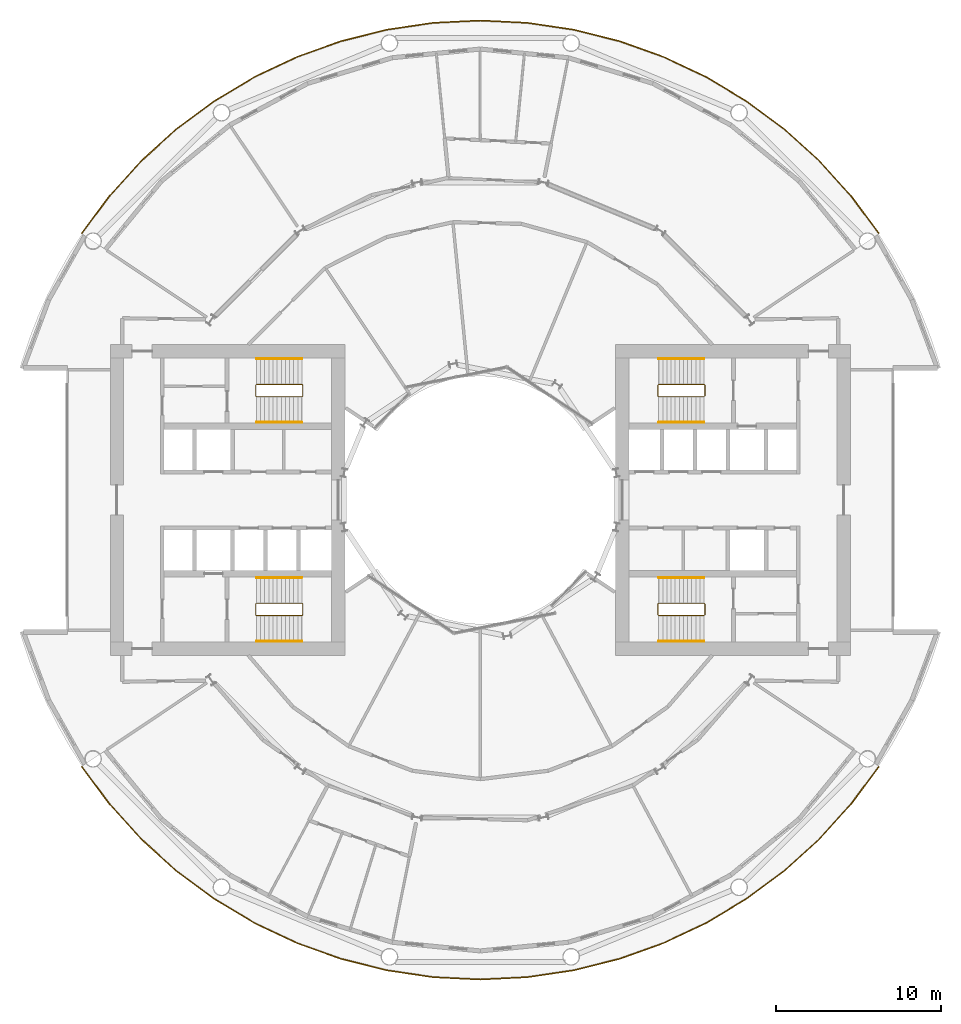
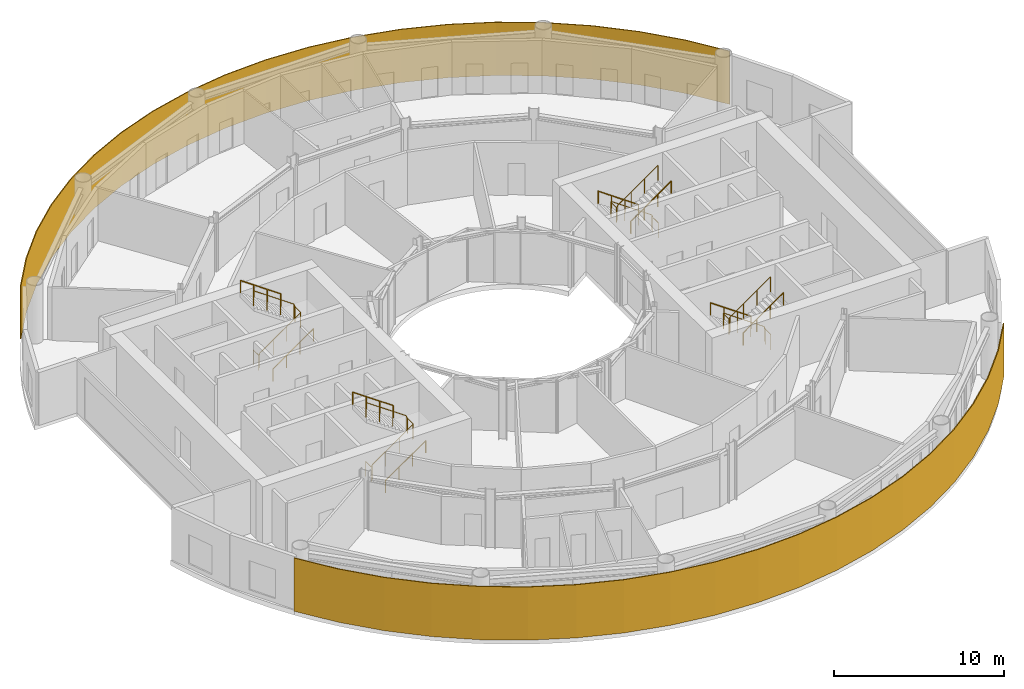
# One storey, part 19 of 19: 14 railings.
"""IFC4 building model written with IfcOpenShell, lengths in metres."""

from ifc_helpers import new_model, si_unit, direction, frame, origin, origin_2d, place, context, subcontext, project, spatial, polyline, circle, outline, extrude, material, layer, layer_set, type_object, element, save


model = new_model("IFC4")

# Units and contexts
model_context = context("Model", 3, precision=1e-05, world=origin(), true_north=direction((0.0, 1.0)))
body_context = subcontext(model_context, "Body", "Model", "MODEL_VIEW")
ifc_project = project(units=[si_unit("LENGTHUNIT", "METRE"), si_unit("AREAUNIT", "SQUARE_METRE"), si_unit("VOLUMEUNIT", "CUBIC_METRE"), si_unit("PLANEANGLEUNIT", "RADIAN"), si_unit("MASSUNIT", "GRAM", prefix="KILO")], contexts=[model_context])

# Site, building, storey
site_placement = place(None, origin())
site = spatial("IfcSite", under=ifc_project, at=site_placement, CompositionType="ELEMENT")
building_placement = place(site_placement, origin())
building = spatial("IfcBuilding", under=site, at=building_placement, Name="Maasbend Ring Residences", CompositionType="ELEMENT")
storey_placement = place(building_placement, frame((0.0, 0.0, 53.300048828125)))
storey = spatial("IfcBuildingStorey", under=building, at=storey_placement, Name="L15", CompositionType="ELEMENT", Elevation=53.300048828125)

# Railings
ifc_material_1 = material(Name="Pale anodised perforated aluminium", Category="aluminium")
ifc_layer = layer(ifc_material_1, 0.06005859375)
ifc_layer_set = layer_set([ifc_layer], Name="SCREEN-P")
railing_type_1 = type_object("IfcRailingType", Name="SCREEN-P", PredefinedType="GUARDRAIL", material=ifc_layer_set)
railing_1_placement = place(storey_placement, frame((0.0, 0.0, -0.030029296875)))
element("IfcRailing", 1, at=railing_1_placement, inside=storey, type_object=railing_type_1, Name="Perforated screen guard 1", PredefinedType="GUARDRAIL", context=body_context, shape_type="SweptSolid", body=[
    extrude(outline(polyline([(24.113037109375, 16.112060546875), (22.4169921875, 18.39697265625), (20.506103515625, 20.506103515625), (18.39697265625, 22.4169921875), (16.112060546875, 24.113037109375), (13.6708984375, 25.575927734375), (11.097900390625, 26.79296875), (8.41796875, 27.7509765625), (5.657958984375, 28.443115234375), (2.842041015625, 28.860107421875), (0.0, 29.0), (-2.842041015625, 28.860107421875), (-5.657958984375, 28.443115234375), (-8.41796875, 27.7509765625), (-11.097900390625, 26.79296875), (-13.6708984375, 25.575927734375), (-16.112060546875, 24.113037109375), (-18.39697265625, 22.4169921875), (-20.506103515625, 20.506103515625), (-22.4169921875, 18.39697265625), (-24.113037109375, 16.112060546875), (-24.1630859375, 16.14501953125), (-22.464111328125, 18.43505859375), (-20.549072265625, 20.549072265625), (-18.43505859375, 22.464111328125), (-16.14501953125, 24.1630859375), (-13.698974609375, 25.62890625), (-11.12109375, 26.847900390625), (-8.43603515625, 27.80908203125), (-5.6689453125, 28.501953125), (-2.847900390625, 28.919921875), (0.0, 29.06005859375), (2.847900390625, 28.919921875), (5.6689453125, 28.501953125), (8.43603515625, 27.80908203125), (11.12109375, 26.847900390625), (13.698974609375, 25.62890625), (16.14501953125, 24.1630859375), (18.43505859375, 22.464111328125), (20.549072265625, 20.549072265625), (22.464111328125, 18.43505859375), (24.1630859375, 16.14501953125), (24.113037109375, 16.112060546875)])), origin(), (0.0, 0.0, 1.0), 3.830078125),
])
railing_2_placement = place(storey_placement, frame((0.0, 0.0, -0.030029296875)))
element("IfcRailing", 2, at=railing_2_placement, inside=storey, type_object=railing_type_1, Name="Perforated screen guard 1", PredefinedType="GUARDRAIL", context=body_context, shape_type="SweptSolid", body=[
    extrude(outline(polyline([(-24.113037109375, -16.112060546875), (-22.4169921875, -18.39697265625), (-20.506103515625, -20.506103515625), (-18.39697265625, -22.4169921875), (-16.112060546875, -24.113037109375), (-13.6708984375, -25.575927734375), (-11.097900390625, -26.79296875), (-8.41796875, -27.7509765625), (-5.657958984375, -28.443115234375), (-2.842041015625, -28.860107421875), (0.0, -29.0), (2.842041015625, -28.860107421875), (5.657958984375, -28.443115234375), (8.41796875, -27.7509765625), (11.097900390625, -26.79296875), (13.6708984375, -25.575927734375), (16.112060546875, -24.113037109375), (18.39697265625, -22.4169921875), (20.506103515625, -20.506103515625), (22.4169921875, -18.39697265625), (24.113037109375, -16.112060546875), (24.1630859375, -16.14501953125), (22.464111328125, -18.43505859375), (20.549072265625, -20.549072265625), (18.43505859375, -22.464111328125), (16.14501953125, -24.1630859375), (13.698974609375, -25.62890625), (11.12109375, -26.847900390625), (8.43603515625, -27.80908203125), (5.6689453125, -28.501953125), (2.847900390625, -28.919921875), (0.0, -29.06005859375), (-2.847900390625, -28.919921875), (-5.6689453125, -28.501953125), (-8.43603515625, -27.80908203125), (-11.12109375, -26.847900390625), (-13.698974609375, -25.62890625), (-16.14501953125, -24.1630859375), (-18.43505859375, -22.464111328125), (-20.549072265625, -20.549072265625), (-22.464111328125, -18.43505859375), (-24.1630859375, -16.14501953125), (-24.113037109375, -16.112060546875)])), origin(), (0.0, 0.0, 1.0), 3.830078125),
])
ifc_material_2 = material(Name="Stainless steel 316", Category="steel")
railing_type_2 = type_object("IfcRailingType", Name="STAIR GUARD 1100", PredefinedType="GUARDRAIL", material=ifc_material_2)
railing_3_placement = place(storey_placement, frame((13.60009765625, 6.300048828125, 0.0)))
element("IfcRailing", 3, at=railing_3_placement, inside=storey, type_object=railing_type_2, Name="L15 ST-E1 stair guard 1", PredefinedType="GUARDRAIL", context=body_context, shape_type="SweptSolid", body=[
    extrude(circle(Radius=0.02392578125, at=origin_2d()), frame((0.0, 0.0, 1.076171875), z_axis=(0.0, 1.0, 0.0), x_axis=(-1.0, 0.0, 0.0)), (0.0, 0.0, 1.0), 0.64990234375),
    extrude(circle(Radius=0.02392578125, at=origin_2d()), frame((0.0, 0.64990234375, 1.076171875), z_axis=(-0.265065253269, 0.265065253269, 0.927081885822), x_axis=(-0.707106781187, -0.707106781187, 0.0)), (0.0, 0.0, 1.0), 0.188720703125),
    extrude(circle(Radius=0.02392578125, at=origin_2d()), frame((-0.050048828125, 0.699951171875, 1.2509765625), z_axis=(-0.819259255306, 0.0, 0.573423292687), x_axis=(0.0, -1.0, 0.0)), (0.0, 0.0, 1.0), 3.356689453125),
    extrude(circle(Radius=0.02392578125, at=origin_2d()), frame((-2.800048828125, 0.699951171875, 3.17578125), z_axis=(-0.707106781187, -0.707106781187, 0.0), x_axis=(0.707106781187, -0.707106781187, 0.0)), (0.0, 0.0, 1.0), 0.07080078125),
    extrude(circle(Radius=0.02392578125, at=origin_2d()), frame((-2.85009765625, 0.64990234375, 3.17578125), z_axis=(0.0, -1.0, 0.0), x_axis=(1.0, 0.0, 0.0)), (0.0, 0.0, 1.0), 0.64990234375),
    extrude(circle(Radius=0.02392578125, at=origin_2d()), frame((-2.85009765625, 0.0, 3.17578125), z_axis=(0.265065253269, -0.265065253269, 0.927081885822), x_axis=(0.707106781187, 0.707106781187, 0.0)), (0.0, 0.0, 1.0), 0.188720703125),
    extrude(circle(Radius=0.02392578125, at=origin_2d()), frame((-2.800048828125, -0.050048828125, 3.35107421875), z_axis=(0.819225086817, 0.0, 0.573472106672), x_axis=(0.0, 1.0, 0.0)), (0.0, 0.0, 1.0), 3.35693359375),
    extrude(circle(Radius=0.02099609375, at=origin_2d()), origin(), (0.0, 0.0, 1.0), 1.052001953125),
    extrude(circle(Radius=0.02099609375, at=origin_2d()), frame((0.0, 0.64990234375, 0.0)), (0.0, 0.0, 1.0), 1.052001953125),
    extrude(circle(Radius=0.02099609375, at=origin_2d()), frame((-0.050048828125, 0.699951171875, 0.175048828125)), (0.0, 0.0, 1.0), 1.052001953125),
    extrude(circle(Radius=0.02099609375, at=origin_2d()), frame((-0.966796875, 0.699951171875, 0.816650390625)), (0.0, 0.0, 1.0), 1.052001953125),
    extrude(circle(Radius=0.02099609375, at=origin_2d()), frame((-1.88330078125, 0.699951171875, 1.458251953125)), (0.0, 0.0, 1.0), 1.052001953125),
    extrude(circle(Radius=0.02099609375, at=origin_2d()), frame((-2.800048828125, 0.699951171875, 2.099853515625)), (0.0, 0.0, 1.0), 1.052001953125),
    extrude(circle(Radius=0.02099609375, at=origin_2d()), frame((-2.85009765625, 0.64990234375, 2.099853515625)), (0.0, 0.0, 1.0), 1.052001953125),
    extrude(circle(Radius=0.02099609375, at=origin_2d()), frame((-2.85009765625, 0.0, 2.099853515625)), (0.0, 0.0, 1.0), 1.052001953125),
    extrude(circle(Radius=0.02099609375, at=origin_2d()), frame((-2.800048828125, -0.050048828125, 2.27490234375)), (0.0, 0.0, 1.0), 1.052001953125),
    extrude(circle(Radius=0.02099609375, at=origin_2d()), frame((-1.88330078125, -0.050048828125, 2.91650390625)), (0.0, 0.0, 1.0), 1.052001953125),
    extrude(circle(Radius=0.02099609375, at=origin_2d()), frame((-0.966796875, -0.050048828125, 3.558349609375)), (0.0, 0.0, 1.0), 1.052001953125),
    extrude(circle(Radius=0.02099609375, at=origin_2d()), frame((-0.050048828125, -0.050048828125, 4.199951171875)), (0.0, 0.0, 1.0), 1.052001953125),
])
railing_4_placement = place(storey_placement, frame((13.60009765625, -6.949951171875, 0.0)))
element("IfcRailing", 4, at=railing_4_placement, inside=storey, type_object=railing_type_2, Name="L15 ST-E2 stair guard 1", PredefinedType="GUARDRAIL", context=body_context, shape_type="SweptSolid", body=[
    extrude(circle(Radius=0.02392578125, at=origin_2d()), frame((0.0, 0.0, 1.076171875), z_axis=(0.0, 1.0, 0.0), x_axis=(-1.0, 0.0, 0.0)), (0.0, 0.0, 1.0), 0.64990234375),
    extrude(circle(Radius=0.02392578125, at=origin_2d()), frame((0.0, 0.64990234375, 1.076171875), z_axis=(-0.265065253269, 0.265065253269, 0.927081885822), x_axis=(-0.707106781187, -0.707106781187, 0.0)), (0.0, 0.0, 1.0), 0.188720703125),
    extrude(circle(Radius=0.02392578125, at=origin_2d()), frame((-0.050048828125, 0.699951171875, 1.2509765625), z_axis=(-0.819259255306, 0.0, 0.573423292687), x_axis=(0.0, -1.0, 0.0)), (0.0, 0.0, 1.0), 3.356689453125),
    extrude(circle(Radius=0.02392578125, at=origin_2d()), frame((-2.800048828125, 0.699951171875, 3.17578125), z_axis=(-0.707106781187, -0.707106781187, 0.0), x_axis=(0.707106781187, -0.707106781187, 0.0)), (0.0, 0.0, 1.0), 0.07080078125),
    extrude(circle(Radius=0.02392578125, at=origin_2d()), frame((-2.85009765625, 0.64990234375, 3.17578125), z_axis=(0.0, -1.0, 0.0), x_axis=(1.0, 0.0, 0.0)), (0.0, 0.0, 1.0), 0.64990234375),
    extrude(circle(Radius=0.02392578125, at=origin_2d()), frame((-2.85009765625, 0.0, 3.17578125), z_axis=(0.265065253269, -0.265065253269, 0.927081885822), x_axis=(0.707106781187, 0.707106781187, 0.0)), (0.0, 0.0, 1.0), 0.188720703125),
    extrude(circle(Radius=0.02392578125, at=origin_2d()), frame((-2.800048828125, -0.050048828125, 3.35107421875), z_axis=(0.819225086817, 0.0, 0.573472106672), x_axis=(0.0, 1.0, 0.0)), (0.0, 0.0, 1.0), 3.35693359375),
    extrude(circle(Radius=0.02099609375, at=origin_2d()), origin(), (0.0, 0.0, 1.0), 1.052001953125),
    extrude(circle(Radius=0.02099609375, at=origin_2d()), frame((0.0, 0.64990234375, 0.0)), (0.0, 0.0, 1.0), 1.052001953125),
    extrude(circle(Radius=0.02099609375, at=origin_2d()), frame((-0.050048828125, 0.699951171875, 0.175048828125)), (0.0, 0.0, 1.0), 1.052001953125),
    extrude(circle(Radius=0.02099609375, at=origin_2d()), frame((-0.966796875, 0.699951171875, 0.816650390625)), (0.0, 0.0, 1.0), 1.052001953125),
    extrude(circle(Radius=0.02099609375, at=origin_2d()), frame((-1.88330078125, 0.699951171875, 1.458251953125)), (0.0, 0.0, 1.0), 1.052001953125),
    extrude(circle(Radius=0.02099609375, at=origin_2d()), frame((-2.800048828125, 0.699951171875, 2.099853515625)), (0.0, 0.0, 1.0), 1.052001953125),
    extrude(circle(Radius=0.02099609375, at=origin_2d()), frame((-2.85009765625, 0.64990234375, 2.099853515625)), (0.0, 0.0, 1.0), 1.052001953125),
    extrude(circle(Radius=0.02099609375, at=origin_2d()), frame((-2.85009765625, 0.0, 2.099853515625)), (0.0, 0.0, 1.0), 1.052001953125),
    extrude(circle(Radius=0.02099609375, at=origin_2d()), frame((-2.800048828125, -0.050048828125, 2.27490234375)), (0.0, 0.0, 1.0), 1.052001953125),
    extrude(circle(Radius=0.02099609375, at=origin_2d()), frame((-1.88330078125, -0.050048828125, 2.91650390625)), (0.0, 0.0, 1.0), 1.052001953125),
    extrude(circle(Radius=0.02099609375, at=origin_2d()), frame((-0.966796875, -0.050048828125, 3.558349609375)), (0.0, 0.0, 1.0), 1.052001953125),
    extrude(circle(Radius=0.02099609375, at=origin_2d()), frame((-0.050048828125, -0.050048828125, 4.199951171875)), (0.0, 0.0, 1.0), 1.052001953125),
])
railing_5_placement = place(storey_placement, frame((-13.60009765625, -6.300048828125, 0.0)))
element("IfcRailing", 5, at=railing_5_placement, inside=storey, type_object=railing_type_2, Name="L15 ST-W1 stair guard 1", PredefinedType="GUARDRAIL", context=body_context, shape_type="SweptSolid", body=[
    extrude(circle(Radius=0.02392578125, at=origin_2d()), frame((0.0, 0.0, 1.076171875), z_axis=(0.0, -1.0, 0.0), x_axis=(1.0, 0.0, 0.0)), (0.0, 0.0, 1.0), 0.64990234375),
    extrude(circle(Radius=0.02392578125, at=origin_2d()), frame((0.0, -0.64990234375, 1.076171875), z_axis=(0.265065253269, -0.265065253269, 0.927081885822), x_axis=(0.707106781187, 0.707106781187, 0.0)), (0.0, 0.0, 1.0), 0.188720703125),
    extrude(circle(Radius=0.02392578125, at=origin_2d()), frame((0.050048828125, -0.699951171875, 1.2509765625), z_axis=(0.819259255306, 0.0, 0.573423292687), x_axis=(0.0, 1.0, 0.0)), (0.0, 0.0, 1.0), 3.356689453125),
    extrude(circle(Radius=0.02392578125, at=origin_2d()), frame((2.800048828125, -0.699951171875, 3.17578125), z_axis=(0.707106781187, 0.707106781187, 0.0), x_axis=(-0.707106781187, 0.707106781187, 0.0)), (0.0, 0.0, 1.0), 0.07080078125),
    extrude(circle(Radius=0.02392578125, at=origin_2d()), frame((2.85009765625, -0.64990234375, 3.17578125), z_axis=(0.0, 1.0, 0.0), x_axis=(-1.0, 0.0, 0.0)), (0.0, 0.0, 1.0), 0.64990234375),
    extrude(circle(Radius=0.02392578125, at=origin_2d()), frame((2.85009765625, 0.0, 3.17578125), z_axis=(-0.265065253269, 0.265065253269, 0.927081885822), x_axis=(-0.707106781187, -0.707106781187, 0.0)), (0.0, 0.0, 1.0), 0.188720703125),
    extrude(circle(Radius=0.02392578125, at=origin_2d()), frame((2.800048828125, 0.050048828125, 3.35107421875), z_axis=(-0.819225086817, 0.0, 0.573472106672), x_axis=(0.0, -1.0, 0.0)), (0.0, 0.0, 1.0), 3.35693359375),
    extrude(circle(Radius=0.02099609375, at=origin_2d()), origin(), (0.0, 0.0, 1.0), 1.052001953125),
    extrude(circle(Radius=0.02099609375, at=origin_2d()), frame((0.0, -0.64990234375, 0.0)), (0.0, 0.0, 1.0), 1.052001953125),
    extrude(circle(Radius=0.02099609375, at=origin_2d()), frame((0.050048828125, -0.699951171875, 0.175048828125)), (0.0, 0.0, 1.0), 1.052001953125),
    extrude(circle(Radius=0.02099609375, at=origin_2d()), frame((0.966796875, -0.699951171875, 0.816650390625)), (0.0, 0.0, 1.0), 1.052001953125),
    extrude(circle(Radius=0.02099609375, at=origin_2d()), frame((1.88330078125, -0.699951171875, 1.458251953125)), (0.0, 0.0, 1.0), 1.052001953125),
    extrude(circle(Radius=0.02099609375, at=origin_2d()), frame((2.800048828125, -0.699951171875, 2.099853515625)), (0.0, 0.0, 1.0), 1.052001953125),
    extrude(circle(Radius=0.02099609375, at=origin_2d()), frame((2.85009765625, -0.64990234375, 2.099853515625)), (0.0, 0.0, 1.0), 1.052001953125),
    extrude(circle(Radius=0.02099609375, at=origin_2d()), frame((2.85009765625, 0.0, 2.099853515625)), (0.0, 0.0, 1.0), 1.052001953125),
    extrude(circle(Radius=0.02099609375, at=origin_2d()), frame((2.800048828125, 0.050048828125, 2.27490234375)), (0.0, 0.0, 1.0), 1.052001953125),
    extrude(circle(Radius=0.02099609375, at=origin_2d()), frame((1.88330078125, 0.050048828125, 2.91650390625)), (0.0, 0.0, 1.0), 1.052001953125),
    extrude(circle(Radius=0.02099609375, at=origin_2d()), frame((0.966796875, 0.050048828125, 3.558349609375)), (0.0, 0.0, 1.0), 1.052001953125),
    extrude(circle(Radius=0.02099609375, at=origin_2d()), frame((0.050048828125, 0.050048828125, 4.199951171875)), (0.0, 0.0, 1.0), 1.052001953125),
])
railing_6_placement = place(storey_placement, frame((-13.60009765625, 6.949951171875, 0.0)))
element("IfcRailing", 6, at=railing_6_placement, inside=storey, type_object=railing_type_2, Name="L15 ST-W2 stair guard 1", PredefinedType="GUARDRAIL", context=body_context, shape_type="SweptSolid", body=[
    extrude(circle(Radius=0.02392578125, at=origin_2d()), frame((0.0, 0.0, 1.076171875), z_axis=(0.0, -1.0, 0.0), x_axis=(1.0, 0.0, 0.0)), (0.0, 0.0, 1.0), 0.64990234375),
    extrude(circle(Radius=0.02392578125, at=origin_2d()), frame((0.0, -0.64990234375, 1.076171875), z_axis=(0.265065253269, -0.265065253269, 0.927081885822), x_axis=(0.707106781187, 0.707106781187, 0.0)), (0.0, 0.0, 1.0), 0.188720703125),
    extrude(circle(Radius=0.02392578125, at=origin_2d()), frame((0.050048828125, -0.699951171875, 1.2509765625), z_axis=(0.819259255306, 0.0, 0.573423292687), x_axis=(0.0, 1.0, 0.0)), (0.0, 0.0, 1.0), 3.356689453125),
    extrude(circle(Radius=0.02392578125, at=origin_2d()), frame((2.800048828125, -0.699951171875, 3.17578125), z_axis=(0.707106781187, 0.707106781187, 0.0), x_axis=(-0.707106781187, 0.707106781187, 0.0)), (0.0, 0.0, 1.0), 0.07080078125),
    extrude(circle(Radius=0.02392578125, at=origin_2d()), frame((2.85009765625, -0.64990234375, 3.17578125), z_axis=(0.0, 1.0, 0.0), x_axis=(-1.0, 0.0, 0.0)), (0.0, 0.0, 1.0), 0.64990234375),
    extrude(circle(Radius=0.02392578125, at=origin_2d()), frame((2.85009765625, 0.0, 3.17578125), z_axis=(-0.265065253269, 0.265065253269, 0.927081885822), x_axis=(-0.707106781187, -0.707106781187, 0.0)), (0.0, 0.0, 1.0), 0.188720703125),
    extrude(circle(Radius=0.02392578125, at=origin_2d()), frame((2.800048828125, 0.050048828125, 3.35107421875), z_axis=(-0.819225086817, 0.0, 0.573472106672), x_axis=(0.0, -1.0, 0.0)), (0.0, 0.0, 1.0), 3.35693359375),
    extrude(circle(Radius=0.02099609375, at=origin_2d()), origin(), (0.0, 0.0, 1.0), 1.052001953125),
    extrude(circle(Radius=0.02099609375, at=origin_2d()), frame((0.0, -0.64990234375, 0.0)), (0.0, 0.0, 1.0), 1.052001953125),
    extrude(circle(Radius=0.02099609375, at=origin_2d()), frame((0.050048828125, -0.699951171875, 0.175048828125)), (0.0, 0.0, 1.0), 1.052001953125),
    extrude(circle(Radius=0.02099609375, at=origin_2d()), frame((0.966796875, -0.699951171875, 0.816650390625)), (0.0, 0.0, 1.0), 1.052001953125),
    extrude(circle(Radius=0.02099609375, at=origin_2d()), frame((1.88330078125, -0.699951171875, 1.458251953125)), (0.0, 0.0, 1.0), 1.052001953125),
    extrude(circle(Radius=0.02099609375, at=origin_2d()), frame((2.800048828125, -0.699951171875, 2.099853515625)), (0.0, 0.0, 1.0), 1.052001953125),
    extrude(circle(Radius=0.02099609375, at=origin_2d()), frame((2.85009765625, -0.64990234375, 2.099853515625)), (0.0, 0.0, 1.0), 1.052001953125),
    extrude(circle(Radius=0.02099609375, at=origin_2d()), frame((2.85009765625, 0.0, 2.099853515625)), (0.0, 0.0, 1.0), 1.052001953125),
    extrude(circle(Radius=0.02099609375, at=origin_2d()), frame((2.800048828125, 0.050048828125, 2.27490234375)), (0.0, 0.0, 1.0), 1.052001953125),
    extrude(circle(Radius=0.02099609375, at=origin_2d()), frame((1.88330078125, 0.050048828125, 2.91650390625)), (0.0, 0.0, 1.0), 1.052001953125),
    extrude(circle(Radius=0.02099609375, at=origin_2d()), frame((0.966796875, 0.050048828125, 3.558349609375)), (0.0, 0.0, 1.0), 1.052001953125),
    extrude(circle(Radius=0.02099609375, at=origin_2d()), frame((0.050048828125, 0.050048828125, 4.199951171875)), (0.0, 0.0, 1.0), 1.052001953125),
])
ifc_material_3 = material(Name="Stainless steel 316", Category="steel")
railing_type_3 = type_object("IfcRailingType", Name="STAIR HANDRAIL 900", PredefinedType="HANDRAIL", material=ifc_material_3)
railing_7_placement = place(storey_placement, frame((13.550048828125, 8.550048828125, 0.175048828125)))
element("IfcRailing", 7, at=railing_7_placement, inside=storey, type_object=railing_type_3, Name="L15 ST-E1 stair handrail 1", PredefinedType="HANDRAIL", context=body_context, shape_type="SweptSolid", body=[
    extrude(circle(Radius=0.02392578125, at=origin_2d()), frame((0.0, 0.0, 0.8759765625), z_axis=(-0.819259255306, 0.0, 0.573423292687), x_axis=(0.0, -1.0, 0.0)), (0.0, 0.0, 1.0), 3.356689453125),
    extrude(circle(Radius=0.02099609375, at=origin_2d()), origin(), (0.0, 0.0, 1.0), 0.851806640625),
    extrude(circle(Radius=0.02099609375, at=origin_2d()), frame((-0.916748046875, 0.0, 0.6416015625)), (0.0, 0.0, 1.0), 0.851806640625),
    extrude(circle(Radius=0.02099609375, at=origin_2d()), frame((-1.833251953125, 0.0, 1.283203125)), (0.0, 0.0, 1.0), 0.851806640625),
    extrude(circle(Radius=0.02099609375, at=origin_2d()), frame((-2.75, 0.0, 1.9248046875)), (0.0, 0.0, 1.0), 0.851806640625),
])
railing_8_placement = place(storey_placement, frame((10.800048828125, 4.699951171875, 2.27490234375)))
element("IfcRailing", 8, at=railing_8_placement, inside=storey, type_object=railing_type_3, Name="L15 ST-E1 stair handrail 2", PredefinedType="HANDRAIL", context=body_context, shape_type="SweptSolid", body=[
    extrude(circle(Radius=0.02392578125, at=origin_2d()), frame((0.0, 0.0, 0.8759765625), z_axis=(0.819225086817, 0.0, 0.573472106672), x_axis=(0.0, 1.0, 0.0)), (0.0, 0.0, 1.0), 3.35693359375),
    extrude(circle(Radius=0.02099609375, at=origin_2d()), origin(), (0.0, 0.0, 1.0), 0.851806640625),
    extrude(circle(Radius=0.02099609375, at=origin_2d()), frame((0.916748046875, 0.0, 0.6416015625)), (0.0, 0.0, 1.0), 0.851806640625),
    extrude(circle(Radius=0.02099609375, at=origin_2d()), frame((1.833251953125, 0.0, 1.283447265625)), (0.0, 0.0, 1.0), 0.851806640625),
    extrude(circle(Radius=0.02099609375, at=origin_2d()), frame((2.75, 0.0, 1.925048828125)), (0.0, 0.0, 1.0), 0.851806640625),
])
railing_9_placement = place(storey_placement, frame((13.550048828125, -4.699951171875, 0.175048828125)))
element("IfcRailing", 9, at=railing_9_placement, inside=storey, type_object=railing_type_3, Name="L15 ST-E2 stair handrail 1", PredefinedType="HANDRAIL", context=body_context, shape_type="SweptSolid", body=[
    extrude(circle(Radius=0.02392578125, at=origin_2d()), frame((0.0, 0.0, 0.8759765625), z_axis=(-0.819259255306, 0.0, 0.573423292687), x_axis=(0.0, -1.0, 0.0)), (0.0, 0.0, 1.0), 3.356689453125),
    extrude(circle(Radius=0.02099609375, at=origin_2d()), origin(), (0.0, 0.0, 1.0), 0.851806640625),
    extrude(circle(Radius=0.02099609375, at=origin_2d()), frame((-0.916748046875, 0.0, 0.6416015625)), (0.0, 0.0, 1.0), 0.851806640625),
    extrude(circle(Radius=0.02099609375, at=origin_2d()), frame((-1.833251953125, 0.0, 1.283203125)), (0.0, 0.0, 1.0), 0.851806640625),
    extrude(circle(Radius=0.02099609375, at=origin_2d()), frame((-2.75, 0.0, 1.9248046875)), (0.0, 0.0, 1.0), 0.851806640625),
])
railing_10_placement = place(storey_placement, frame((10.800048828125, -8.550048828125, 2.27490234375)))
element("IfcRailing", 10, at=railing_10_placement, inside=storey, type_object=railing_type_3, Name="L15 ST-E2 stair handrail 2", PredefinedType="HANDRAIL", context=body_context, shape_type="SweptSolid", body=[
    extrude(circle(Radius=0.02392578125, at=origin_2d()), frame((0.0, 0.0, 0.8759765625), z_axis=(0.819225086817, 0.0, 0.573472106672), x_axis=(0.0, 1.0, 0.0)), (0.0, 0.0, 1.0), 3.35693359375),
    extrude(circle(Radius=0.02099609375, at=origin_2d()), origin(), (0.0, 0.0, 1.0), 0.851806640625),
    extrude(circle(Radius=0.02099609375, at=origin_2d()), frame((0.916748046875, 0.0, 0.6416015625)), (0.0, 0.0, 1.0), 0.851806640625),
    extrude(circle(Radius=0.02099609375, at=origin_2d()), frame((1.833251953125, 0.0, 1.283447265625)), (0.0, 0.0, 1.0), 0.851806640625),
    extrude(circle(Radius=0.02099609375, at=origin_2d()), frame((2.75, 0.0, 1.925048828125)), (0.0, 0.0, 1.0), 0.851806640625),
])
railing_11_placement = place(storey_placement, frame((-13.550048828125, -8.550048828125, 0.175048828125)))
element("IfcRailing", 11, at=railing_11_placement, inside=storey, type_object=railing_type_3, Name="L15 ST-W1 stair handrail 1", PredefinedType="HANDRAIL", context=body_context, shape_type="SweptSolid", body=[
    extrude(circle(Radius=0.02392578125, at=origin_2d()), frame((0.0, 0.0, 0.8759765625), z_axis=(0.819259255306, 0.0, 0.573423292687), x_axis=(0.0, 1.0, 0.0)), (0.0, 0.0, 1.0), 3.356689453125),
    extrude(circle(Radius=0.02099609375, at=origin_2d()), origin(), (0.0, 0.0, 1.0), 0.851806640625),
    extrude(circle(Radius=0.02099609375, at=origin_2d()), frame((0.916748046875, 0.0, 0.6416015625)), (0.0, 0.0, 1.0), 0.851806640625),
    extrude(circle(Radius=0.02099609375, at=origin_2d()), frame((1.833251953125, 0.0, 1.283203125)), (0.0, 0.0, 1.0), 0.851806640625),
    extrude(circle(Radius=0.02099609375, at=origin_2d()), frame((2.75, 0.0, 1.9248046875)), (0.0, 0.0, 1.0), 0.851806640625),
])
railing_12_placement = place(storey_placement, frame((-10.800048828125, -4.699951171875, 2.27490234375)))
element("IfcRailing", 12, at=railing_12_placement, inside=storey, type_object=railing_type_3, Name="L15 ST-W1 stair handrail 2", PredefinedType="HANDRAIL", context=body_context, shape_type="SweptSolid", body=[
    extrude(circle(Radius=0.02392578125, at=origin_2d()), frame((0.0, 0.0, 0.8759765625), z_axis=(-0.819225086817, 0.0, 0.573472106672), x_axis=(0.0, -1.0, 0.0)), (0.0, 0.0, 1.0), 3.35693359375),
    extrude(circle(Radius=0.02099609375, at=origin_2d()), origin(), (0.0, 0.0, 1.0), 0.851806640625),
    extrude(circle(Radius=0.02099609375, at=origin_2d()), frame((-0.916748046875, 0.0, 0.6416015625)), (0.0, 0.0, 1.0), 0.851806640625),
    extrude(circle(Radius=0.02099609375, at=origin_2d()), frame((-1.833251953125, 0.0, 1.283447265625)), (0.0, 0.0, 1.0), 0.851806640625),
    extrude(circle(Radius=0.02099609375, at=origin_2d()), frame((-2.75, 0.0, 1.925048828125)), (0.0, 0.0, 1.0), 0.851806640625),
])
railing_13_placement = place(storey_placement, frame((-13.550048828125, 4.699951171875, 0.175048828125)))
element("IfcRailing", 13, at=railing_13_placement, inside=storey, type_object=railing_type_3, Name="L15 ST-W2 stair handrail 1", PredefinedType="HANDRAIL", context=body_context, shape_type="SweptSolid", body=[
    extrude(circle(Radius=0.02392578125, at=origin_2d()), frame((0.0, 0.0, 0.8759765625), z_axis=(0.819259255306, 0.0, 0.573423292687), x_axis=(0.0, 1.0, 0.0)), (0.0, 0.0, 1.0), 3.356689453125),
    extrude(circle(Radius=0.02099609375, at=origin_2d()), origin(), (0.0, 0.0, 1.0), 0.851806640625),
    extrude(circle(Radius=0.02099609375, at=origin_2d()), frame((0.916748046875, 0.0, 0.6416015625)), (0.0, 0.0, 1.0), 0.851806640625),
    extrude(circle(Radius=0.02099609375, at=origin_2d()), frame((1.833251953125, 0.0, 1.283203125)), (0.0, 0.0, 1.0), 0.851806640625),
    extrude(circle(Radius=0.02099609375, at=origin_2d()), frame((2.75, 0.0, 1.9248046875)), (0.0, 0.0, 1.0), 0.851806640625),
])
railing_14_placement = place(storey_placement, frame((-10.800048828125, 8.550048828125, 2.27490234375)))
element("IfcRailing", 14, at=railing_14_placement, inside=storey, type_object=railing_type_3, Name="L15 ST-W2 stair handrail 2", PredefinedType="HANDRAIL", context=body_context, shape_type="SweptSolid", body=[
    extrude(circle(Radius=0.02392578125, at=origin_2d()), frame((0.0, 0.0, 0.8759765625), z_axis=(-0.819225086817, 0.0, 0.573472106672), x_axis=(0.0, -1.0, 0.0)), (0.0, 0.0, 1.0), 3.35693359375),
    extrude(circle(Radius=0.02099609375, at=origin_2d()), origin(), (0.0, 0.0, 1.0), 0.851806640625),
    extrude(circle(Radius=0.02099609375, at=origin_2d()), frame((-0.916748046875, 0.0, 0.6416015625)), (0.0, 0.0, 1.0), 0.851806640625),
    extrude(circle(Radius=0.02099609375, at=origin_2d()), frame((-1.833251953125, 0.0, 1.283447265625)), (0.0, 0.0, 1.0), 0.851806640625),
    extrude(circle(Radius=0.02099609375, at=origin_2d()), frame((-2.75, 0.0, 1.925048828125)), (0.0, 0.0, 1.0), 0.851806640625),
])

save(model, "model.ifc")
